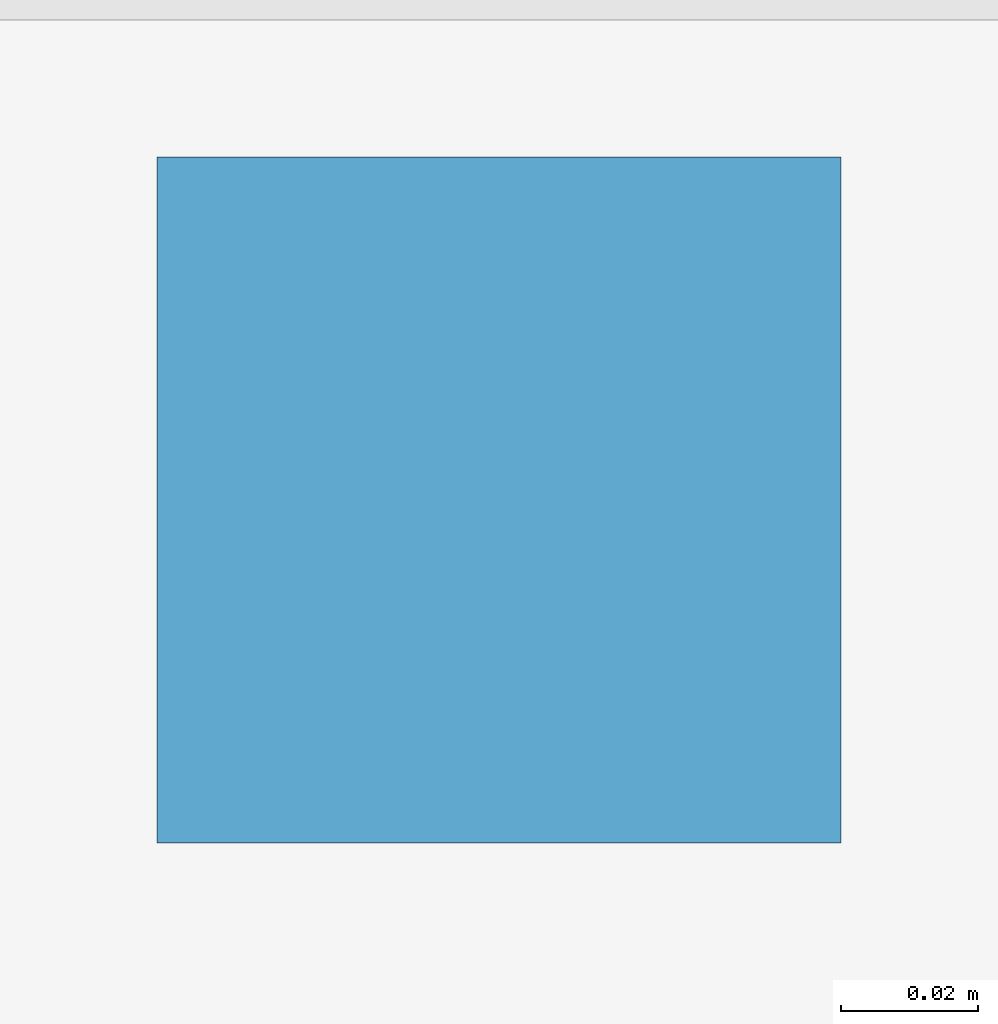
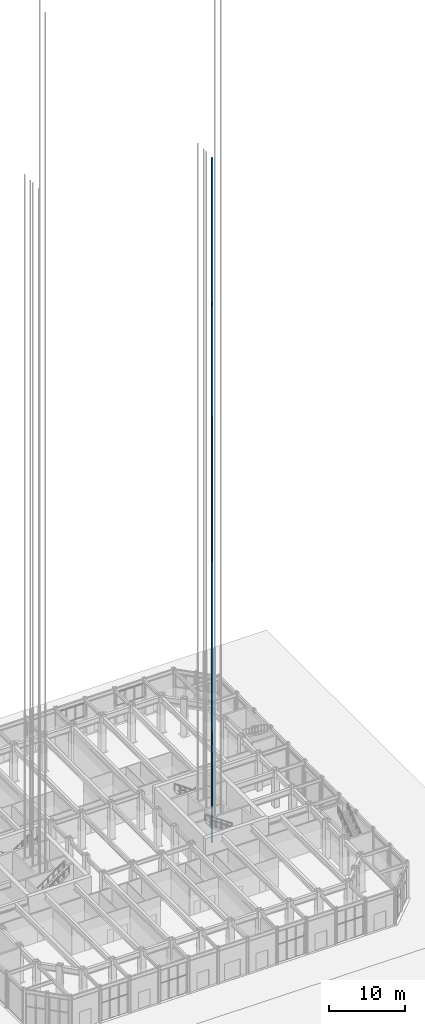
# One storey, part 32 of 39: 1 discrete accessory.
"""IFC4 building model written with IfcOpenShell, lengths in metres."""

from ifc_helpers import new_model, si_unit, direction, frame, origin, place, context, subcontext, project, spatial, polyline, outline, extrude, element, save


model = new_model("IFC4")

# Units and contexts
model_context = context("Model", 3, precision=1e-05, world=origin(), true_north=direction((0.0, 1.0)))
body_context = subcontext(model_context, "Body", "Model", "MODEL_VIEW")
ifc_project = project(units=[si_unit("LENGTHUNIT", "METRE"), si_unit("AREAUNIT", "SQUARE_METRE"), si_unit("VOLUMEUNIT", "CUBIC_METRE"), si_unit("PLANEANGLEUNIT", "RADIAN"), si_unit("MASSUNIT", "GRAM", prefix="KILO")], contexts=[model_context])

# Site, building, storey
site_placement = place(None, origin())
site = spatial("IfcSite", under=ifc_project, at=site_placement, CompositionType="ELEMENT")
building_placement = place(site_placement, origin())
building = spatial("IfcBuilding", under=site, at=building_placement, Name="Msasa Ring Tower", CompositionType="ELEMENT")
storey_placement = place(building_placement, origin())
storey = spatial("IfcBuildingStorey", under=building, at=storey_placement, Name="L00", CompositionType="ELEMENT", Elevation=0.0)

# Discrete accessory
discrete_accessory_placement = place(storey_placement, frame((0.0, 0.0, 0.050048828125)))
element("IfcDiscreteAccessory", 1, at=discrete_accessory_placement, inside=storey, Name="Lift guide rail 1 PL-R1", ObjectType="LIFT GUIDE RAIL", PredefinedType="USERDEFINED", context=body_context, shape_type="SweptSolid", body=[
    extrude(outline(polyline([(13.175048828125, -0.945068359375), (13.27490234375, -0.945068359375), (13.27490234375, -0.844970703125), (13.175048828125, -0.844970703125), (13.175048828125, -0.945068359375)])), origin(), (0.0, 0.0, 1.0), 110.550048828125),
])

save(model, "model.ifc")
